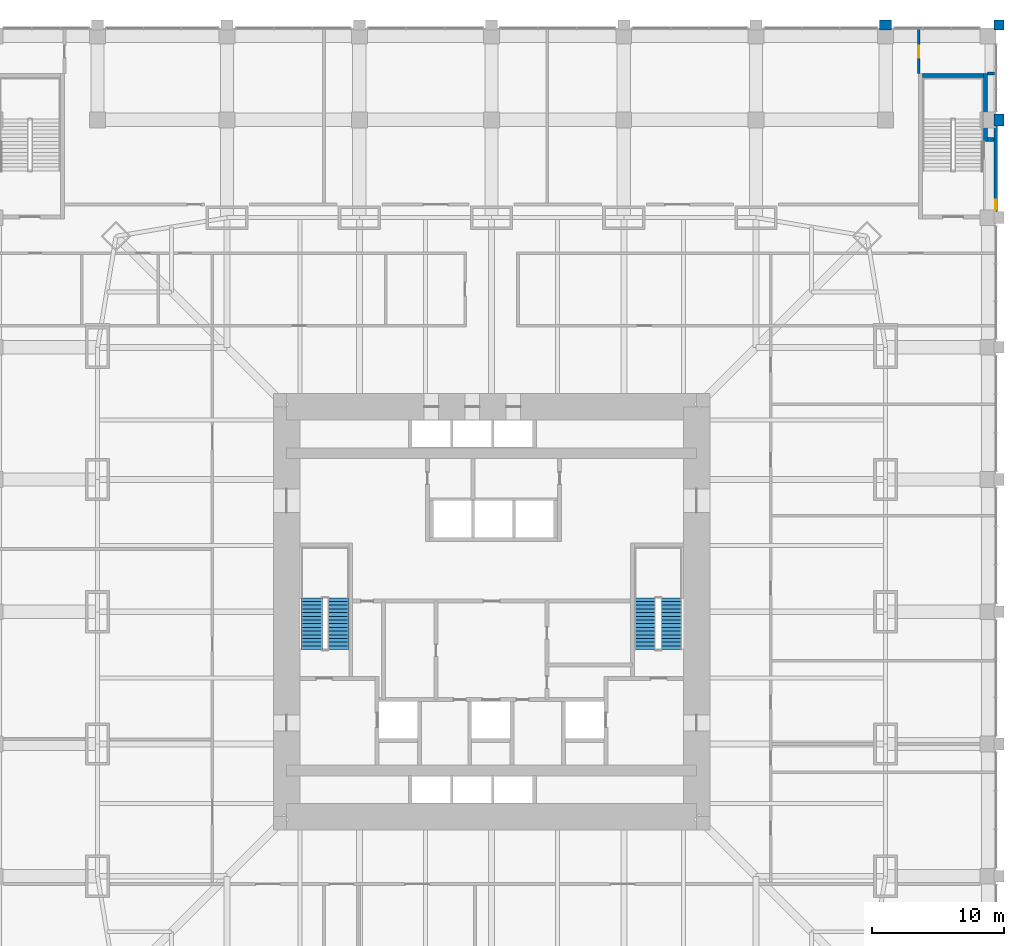
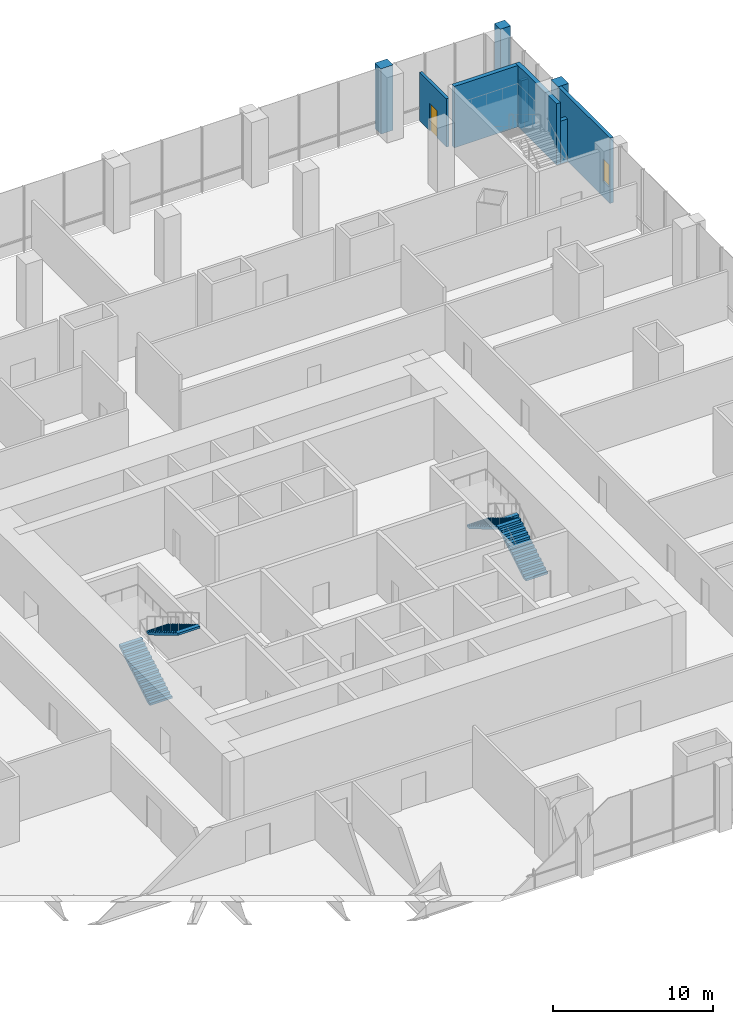
# One storey, part 21 of 24: 9 walls, 4 stair flights, 1 door, 1 window, 2 openings, 2 elements without a shape of their own.
"""IFC4 building model written with IfcOpenShell, lengths in metres."""

import ifcopenshell
import ifcopenshell.guid

model = None  # the IFC model being written
_history = None  # IfcOwnerHistory: only IFC2X3 demands one
_inside = {}  # id of a spatial element -> (the spatial element, [elements in it])
_under = {}  # id of a project, library or spatial element -> (it, [spatial elements below it])
_declared = {}  # id of a project -> (the project, [libraries it declares])
_typed = {}  # id of a type object -> (the type object, [elements of that type])
_made_of = {}  # id of a material, layer set ... -> (it, [elements and type objects made of it])


def new_model(schema):
    """Start an empty IFC model of exactly this schema.

    Asked for "IFC4X3", IfcOpenShell would pick the latest addendum, in which some entities
    have other attributes; the version numbers below select the first issue.
    IFC2X3 requires an IfcOwnerHistory on every rooted entity: one is made here for all.
    """
    global model, _history
    if schema == "IFC4X3":
        model = ifcopenshell.file(schema_version=(4, 3, 0, 0))
    else:
        model = ifcopenshell.file(schema=schema)
    _inside.clear()
    _under.clear()
    _declared.clear()
    _typed.clear()
    _made_of.clear()
    _history = None
    if model.schema == "IFC2X3":
        org = make("IfcOrganization", Name="unknown")
        user = make(
            "IfcPersonAndOrganization",
            ThePerson=make("IfcPerson", FamilyName="unknown"),
            TheOrganization=org,
        )
        app = make(
            "IfcApplication",
            ApplicationDeveloper=org,
            Version="unknown",
            ApplicationFullName="unknown",
            ApplicationIdentifier="unknown",
        )
        _history = make(
            "IfcOwnerHistory",
            OwningUser=user,
            OwningApplication=app,
            ChangeAction="ADDED",
            CreationDate=0,
        )
    return model


def make(cls, **values):
    """One entity of the class cls with the attributes given. An attribute that is None is left unset."""
    return model.create_entity(
        cls, **{name: value for name, value in values.items() if value is not None}
    )


def rooted(cls, **values):
    """An entity with a GlobalId (a new one), such as an element, a storey or a relation."""
    return make(cls, GlobalId=ifcopenshell.guid.new(), OwnerHistory=_history, **values)


def si_unit(unit_type, name, prefix=None):
    """IfcSIUnit, for example si_unit("LENGTHUNIT", "METRE", prefix="MILLI")."""
    return make("IfcSIUnit", UnitType=unit_type, Prefix=prefix, Name=name)


def assignment(units):
    """IfcUnitAssignment: the units of a project."""
    return None if units is None else make("IfcUnitAssignment", Units=units)


def point(xyz):
    """IfcCartesianPoint."""
    return None if xyz is None else make("IfcCartesianPoint", Coordinates=xyz)


def direction(xyz):
    """IfcDirection."""
    return None if xyz is None else make("IfcDirection", DirectionRatios=xyz)


def frame(location, z_axis=None, x_axis=None):
    """IfcAxis2Placement3D, a coordinate frame: its origin and axes. An axis left out is left unset."""
    return make(
        "IfcAxis2Placement3D",
        Location=point(location),
        Axis=direction(z_axis),
        RefDirection=direction(x_axis),
    )


def frame_2d(location, x_axis=None):
    """IfcAxis2Placement2D, a coordinate frame in the plane: its origin and x axis."""
    return make(
        "IfcAxis2Placement2D", Location=point(location), RefDirection=direction(x_axis)
    )


def origin():
    """The frame at (0, 0, 0) with its axes left unset."""
    return frame((0.0, 0.0, 0.0))


def place(relative_to, where):
    """IfcLocalPlacement: puts the frame where relative to a parent placement (None: the world)."""
    return make(
        "IfcLocalPlacement", PlacementRelTo=relative_to, RelativePlacement=where
    )


def context(
    kind, dimensions, precision=None, world=None, true_north=None, identifier=None
):
    """IfcGeometricRepresentationContext, for example the 3D "Model" context."""
    return make(
        "IfcGeometricRepresentationContext",
        ContextIdentifier=identifier,
        ContextType=kind,
        CoordinateSpaceDimension=dimensions,
        Precision=precision,
        WorldCoordinateSystem=world,
        TrueNorth=true_north,
    )


def subcontext(parent, identifier, kind, view, scale=None):
    """IfcGeometricRepresentationSubContext, for example "Body" below "Model"."""
    return make(
        "IfcGeometricRepresentationSubContext",
        ContextIdentifier=identifier,
        ContextType=kind,
        ParentContext=parent,
        TargetScale=scale,
        TargetView=view,
    )


def project(units=None, contexts=None):
    """IfcProject with its units and contexts."""
    return rooted(
        "IfcProject",
        Name="project",
        RepresentationContexts=contexts,
        UnitsInContext=assignment(units),
    )


def spatial(cls, under=None, at=None, **own):
    """A site, building, storey or space (cls), placed at a placement, below another one or the project."""
    s = rooted(cls, ObjectPlacement=at, **own)
    if under is not None:
        _under.setdefault(under.id(), (under, []))[1].append(s)
    return s


def polyline(points):
    """IfcPolyline through the points."""
    return make("IfcPolyline", Points=[point(p) for p in points])


def profile(cls, at=None, kind="AREA", **sizes):
    """A parametric profile (cls). Its sizes go by their IFC names, for example OverallWidth=200.0."""
    return make(cls, ProfileType=kind, Position=at, **sizes)


def rectangle(**sizes):
    """IfcRectangleProfileDef."""
    return profile("IfcRectangleProfileDef", **sizes)


def outline(outer, holes=None, kind="AREA"):
    """IfcArbitraryClosedProfileDef: a profile drawn as a closed curve; with holes, ...WithVoids."""
    if holes is None:
        return make("IfcArbitraryClosedProfileDef", ProfileType=kind, OuterCurve=outer)
    return make(
        "IfcArbitraryProfileDefWithVoids",
        ProfileType=kind,
        OuterCurve=outer,
        InnerCurves=holes,
    )


def extrude(swept, where, along, depth):
    """IfcExtrudedAreaSolid: the profile swept, set in the frame where, extruded along a direction by depth."""
    return make(
        "IfcExtrudedAreaSolid",
        SweptArea=swept,
        Position=where,
        ExtrudedDirection=direction(along),
        Depth=depth,
    )


def shape(context_of_items, identifier, shape_type, items):
    """IfcShapeRepresentation: the items that make up one representation, for example the "Body"."""
    return make(
        "IfcShapeRepresentation",
        ContextOfItems=context_of_items,
        RepresentationIdentifier=identifier,
        RepresentationType=shape_type,
        Items=items,
    )


def material(Name=None, Category=None):
    """IfcMaterial."""
    return make("IfcMaterial", Name=Name, Category=Category)


def layer(
    of_material, thickness, ventilated=None, Name=None, Category=None, Priority=None
):
    """IfcMaterialLayer: one layer of a wall or slab, of a material (None: an air gap)."""
    return make(
        "IfcMaterialLayer",
        Material=of_material,
        LayerThickness=thickness,
        IsVentilated=ventilated,
        Name=Name,
        Category=Category,
        Priority=Priority,
    )


def layer_set(layers, Name=None):
    """IfcMaterialLayerSet."""
    return make("IfcMaterialLayerSet", MaterialLayers=layers, LayerSetName=Name)


def made_of(thing, what):
    """Note that an element or type object is made of a material, layer set ...; save() writes the relation."""
    if what is not None:
        _made_of.setdefault(what.id(), (what, []))[1].append(thing)
    return thing


def type_object(cls, material=None, **own):
    """A type object (cls), such as IfcWallType, which elements share."""
    return made_of(rooted(cls, **own), material)


def element(
    cls,
    number,
    at=None,
    inside=None,
    cuts=None,
    type_object=None,
    material=None,
    context=None,
    identifier="Body",
    shape_type=None,
    held_by="IfcProductDefinitionShape",
    body=None,
    shapes=None,
    **own,
):
    """One element of the class cls, such as IfcWall. Its Tag is "e" and its number.

    at: its placement. inside: the storey or other place that contains it. cuts: it is an
    opening in that element (IfcRelVoidsElement). A single representation is given by context,
    identifier, shape_type and body (its items); several are given by shapes. held_by: the class
    of the entity that holds the representations. save() writes the other relations.
    """
    e = rooted(cls, Tag="e%d" % number, ObjectPlacement=at, **own)
    if body is not None:
        shapes = [shape(context, identifier, shape_type, body)]
    if shapes is not None:
        e.Representation = make(held_by, Representations=shapes)
    if inside is not None:
        _inside.setdefault(inside.id(), (inside, []))[1].append(e)
    if cuts is not None:
        rooted(
            "IfcRelVoidsElement", RelatingBuildingElement=cuts, RelatedOpeningElement=e
        )
    if type_object is not None:
        _typed.setdefault(type_object.id(), (type_object, []))[1].append(e)
    return made_of(e, material)


def fill(opening, filler):
    """IfcRelFillsElement: the door or window that sits in an opening."""
    return rooted(
        "IfcRelFillsElement",
        RelatingOpeningElement=opening,
        RelatedBuildingElement=filler,
    )


def aggregate(whole, parts):
    """IfcRelAggregates: a whole, such as a stair, and the parts it consists of."""
    return rooted("IfcRelAggregates", RelatingObject=whole, RelatedObjects=parts)


def save(model, path):
    """Write the relations noted so far, then the file.

    IfcRelAggregates (storeys below a building ...), IfcRelContainedInSpatialStructure (elements
    in a storey), IfcRelDefinesByType, IfcRelAssociatesMaterial and IfcRelDeclares: one each for
    every whole, place, type object, material and project.
    """
    for whole, parts in _under.values():
        aggregate(whole, parts)
    for where, things in _inside.values():
        rooted(
            "IfcRelContainedInSpatialStructure",
            RelatedElements=things,
            RelatingStructure=where,
        )
    for kind, things in _typed.values():
        rooted("IfcRelDefinesByType", RelatedObjects=things, RelatingType=kind)
    for what, things in _made_of.values():
        rooted("IfcRelAssociatesMaterial", RelatedObjects=things, RelatingMaterial=what)
    for by, libraries in _declared.values():
        rooted("IfcRelDeclares", RelatingContext=by, RelatedDefinitions=libraries)
    model.write(path)


model = new_model("IFC4")

# Units and contexts
model_context = context("Model", 3, precision=1e-05, world=origin(), true_north=direction((0.0, 1.0)))
body_context = subcontext(model_context, "Body", "Model", "MODEL_VIEW")
ifc_project = project(units=[si_unit("LENGTHUNIT", "METRE"), si_unit("AREAUNIT", "SQUARE_METRE"), si_unit("VOLUMEUNIT", "CUBIC_METRE"), si_unit("PLANEANGLEUNIT", "RADIAN"), si_unit("MASSUNIT", "GRAM", prefix="KILO")], contexts=[model_context])

# Site, building, storey
site_placement = place(None, origin())
site = spatial("IfcSite", under=ifc_project, at=site_placement, CompositionType="ELEMENT")
building_placement = place(site_placement, origin())
building = spatial("IfcBuilding", under=site, at=building_placement, Name="Khuree Lantern Residences", CompositionType="ELEMENT")
storey_placement = place(building_placement, frame((0.0, 0.0, 6.0)))
storey = spatial("IfcBuildingStorey", under=building, at=storey_placement, Name="L01", CompositionType="ELEMENT", Elevation=6.0)

# Walls
ifc_material_1 = material(Name="Dense concrete blockwork", Category="masonry")
ifc_layer_1 = layer(ifc_material_1, 0.300048828125)
ifc_layer_set_1 = layer_set([ifc_layer_1], Name="CORE PARTITION WALL CPW300 EI 120")
wall_type_1 = type_object("IfcWallType", Name="CORE PARTITION WALL CPW300 EI 120", PredefinedType="PARTITIONING", material=ifc_layer_set_1)
wall_1_placement = place(storey_placement, frame((38.0, 35.7060546875, 0.0), z_axis=(0.0, 0.0, 1.0), x_axis=(-1.0, 0.0, 0.0)))
element("IfcWall", 1, at=wall_1_placement, inside=storey, type_object=wall_type_1, Name="L01 STAIR ST4 WALL X", PredefinedType="PARTITIONING", context=body_context, shape_type="SweptSolid", body=[
    extrude(rectangle(XDim=0.5, YDim=0.300048828125, at=frame_2d((0.25, 0.0))), origin(), (0.0, 0.0, 1.0), 3.27001953125),
])
ifc_material_2 = material(Name="Flamed granite cladding on blockwork", Category="masonry")
ifc_layer_2 = layer(ifc_material_2, 0.75)
ifc_layer_set_2 = layer_set([ifc_layer_2], Name="PODIUM PIER PR1 900X750")
wall_type_2 = type_object("IfcWallType", Name="PODIUM PIER PR1 900X750", PredefinedType="SOLIDWALL", material=ifc_layer_set_2)
wall_2_placement = place(storey_placement, frame((38.375, 36.75, 0.0), z_axis=(0.0, 0.0, 1.0), x_axis=(0.0, 1.0, 0.0)))
element("IfcWall", 2, at=wall_2_placement, inside=storey, type_object=wall_type_2, Name="L01 EAST FACE PIER 7", PredefinedType="SOLIDWALL", context=body_context, shape_type="SweptSolid", body=[
    extrude(rectangle(XDim=0.89990234375, YDim=0.75, at=frame_2d((0.449951171875, 0.0))), origin(), (0.0, 0.0, 1.0), 5.0),
])
wall_3_placement = place(storey_placement, frame((38.375, 44.0, 0.0), z_axis=(0.0, 0.0, 1.0), x_axis=(0.0, 1.0, 0.0)))
element("IfcWall", 3, at=wall_3_placement, inside=storey, type_object=wall_type_2, Name="L01 EAST FACE PIER 8", PredefinedType="SOLIDWALL", context=body_context, shape_type="SweptSolid", body=[
    extrude(rectangle(XDim=0.75, YDim=0.75, at=frame_2d((0.375, 0.0))), origin(), (0.0, 0.0, 1.0), 5.0),
])
wall_4_placement = place(storey_placement, frame((30.25, 44.375, 0.0), z_axis=(0.0, 0.0, 1.0), x_axis=(-1.0, 0.0, 0.0)))
element("IfcWall", 4, at=wall_4_placement, inside=storey, type_object=wall_type_2, Name="L01 NORTH FACE PIER 1", PredefinedType="SOLIDWALL", context=body_context, shape_type="SweptSolid", body=[
    extrude(rectangle(XDim=0.89990234375, YDim=0.75, at=frame_2d((0.449951171875, 0.0))), origin(), (0.0, 0.0, 1.0), 5.0),
])

# Wall, opening, window
ifc_layer_3 = layer(ifc_material_2, 0.25)
ifc_layer_set_3 = layer_set([ifc_layer_3], Name="PODIUM STONE WALL SW1 250")
wall_type_3 = type_object("IfcWallType", Name="PODIUM STONE WALL SW1 250", PredefinedType="SOLIDWALL", material=ifc_layer_set_3)
wall_5_placement = place(storey_placement, frame((38.125, 30.25, 0.0), z_axis=(0.0, 0.0, 1.0), x_axis=(0.0, 1.0, 0.0)))
wall_5 = element("IfcWall", 5, at=wall_5_placement, inside=storey, type_object=wall_type_3, Name="L01 EAST FACE BAY 7 STONE WALL", PredefinedType="SOLIDWALL", context=body_context, shape_type="SweptSolid", body=[
    extrude(rectangle(XDim=6.5, YDim=0.25, at=frame_2d((3.25, 0.0))), origin(), (0.0, 0.0, 1.0), 5.0),
])
opening_1_placement = place(wall_5_placement, frame((0.14990234375, 0.0, 1.199951171875)))
opening_1 = element("IfcOpeningElement", 6, at=opening_1_placement, cuts=wall_5, Name="Opening L01-W01", PredefinedType="OPENING", context=body_context, shape_type="SweptSolid", body=[
    extrude(rectangle(XDim=0.75, YDim=1.699951171875, at=frame_2d((0.375, 0.85009765625))), frame((0.0, 0.135009765625, 0.0), z_axis=(0.0, -1.0, 0.0), x_axis=(1.0, 0.0, 0.0)), (0.0, 0.0, 1.0), 0.27001953125),
])
ifc_material_3 = material(Name="Aluminium frame, triple glazing", Category="aluminium")
window_type = type_object("IfcWindowType", Name="STAIR WINDOW W1 750X1700", PartitioningType="SINGLE_PANEL", PredefinedType="WINDOW", material=ifc_material_3)
window_placement = place(opening_1_placement, origin())
window = element("IfcWindow", 7, at=window_placement, inside=storey, type_object=window_type, Name="Stair ST4 window L01-W01", OverallHeight=1.699951171875, OverallWidth=0.75, PartitioningType="SINGLE_PANEL", PredefinedType="WINDOW", context=body_context, shape_type="SweptSolid", body=[
    extrude(rectangle(XDim=0.75, YDim=1.699951171875, at=frame_2d((0.375, 0.85009765625))), frame((0.0, 0.030029296875, 0.0), z_axis=(0.0, -1.0, 0.0), x_axis=(1.0, 0.0, 0.0)), (0.0, 0.0, 1.0), 0.06005859375),
])
fill(opening_1, window)

# Wall
ifc_layer_4 = layer(ifc_material_1, 0.199951171875)
ifc_layer_set_4 = layer_set([ifc_layer_4], Name="ROOM WALL RMW200")
wall_type_4 = type_object("IfcWallType", Name="ROOM WALL RMW200", PredefinedType="SOLIDWALL", material=ifc_layer_set_4)
wall_6_placement = place(storey_placement, frame((37.52001953125, 40.699951171875, 0.0), z_axis=(0.0, 0.0, 1.0), x_axis=(1.0, 0.0, 0.0)))
element("IfcWall", 8, at=wall_6_placement, inside=storey, type_object=wall_type_4, Name="L01 ROOM WALL 44", PredefinedType="SOLIDWALL", context=body_context, shape_type="SweptSolid", body=[
    extrude(rectangle(XDim=0.554931640625, YDim=0.199951171875, at=frame_2d((0.27734375, 0.0))), origin(), (0.0, 0.0, 1.0), 3.27001953125),
])

# Wall, opening, door
wall_7_placement = place(storey_placement, frame((32.300048828125, 40.719970703125, 0.0), z_axis=(0.0, 0.0, 1.0), x_axis=(0.0, 1.0, 0.0)))
wall_7 = element("IfcWall", 9, at=wall_7_placement, inside=storey, type_object=wall_type_4, Name="L01 ROOM WALL 46", PredefinedType="SOLIDWALL", context=body_context, shape_type="SweptSolid", body=[
    extrude(rectangle(XDim=3.35498046875, YDim=0.199951171875, at=frame_2d((1.677490234375, 0.0))), origin(), (0.0, 0.0, 1.0), 3.699951171875),
])
opening_2_placement = place(wall_7_placement, frame((1.179931640625, 0.0, 0.0)))
opening_2 = element("IfcOpeningElement", 10, at=opening_2_placement, cuts=wall_7, Name="Opening 01-046", PredefinedType="OPENING", context=body_context, shape_type="SweptSolid", body=[
    extrude(rectangle(XDim=0.89990234375, YDim=2.10009765625, at=frame_2d((0.449951171875, 1.050048828125))), frame((0.0, 0.10986328125, 0.0), z_axis=(0.0, -1.0, 0.0), x_axis=(1.0, 0.0, 0.0)), (0.0, 0.0, 1.0), 0.219970703125),
])
ifc_material_4 = material(Name="Timber door leaf in hardwood frame", Category="wood")
door_type = type_object("IfcDoorType", Name="WC DOOR 900X2100", OperationType="SINGLE_SWING_LEFT", PredefinedType="DOOR", material=ifc_material_4)
door_placement = place(opening_2_placement, origin())
door = element("IfcDoor", 11, at=door_placement, inside=storey, type_object=door_type, Name="Cleaner's store door 01-046", OperationType="SINGLE_SWING_LEFT", OverallHeight=2.10009765625, OverallWidth=0.89990234375, PredefinedType="DOOR", context=body_context, shape_type="SweptSolid", body=[
    extrude(rectangle(XDim=0.89990234375, YDim=2.10009765625, at=frame_2d((0.449951171875, 1.050048828125))), frame((0.0, 0.02490234375, 0.0), z_axis=(0.0, -1.0, 0.0), x_axis=(1.0, 0.0, 0.0)), (0.0, 0.0, 1.0), 0.050048828125),
])
fill(opening_2, door)

# Walls
ifc_material_5 = material(Name="Concrete C50/60", Category="concrete")
ifc_layer_5 = layer(ifc_material_5, 0.300048828125)
ifc_layer_set_5 = layer_set([ifc_layer_5], Name="STAIR WALL SRW300 C50/60 REI 240")
wall_type_5 = type_object("IfcWallType", Name="STAIR WALL SRW300 C50/60 REI 240", PredefinedType="SOLIDWALL", material=ifc_layer_set_5)
wall_8_placement = place(storey_placement, frame((37.35009765625, 35.555908203125, 0.0), z_axis=(0.0, 0.0, 1.0), x_axis=(0.0, 1.0, 0.0)))
element("IfcWall", 12, at=wall_8_placement, inside=storey, type_object=wall_type_5, Name="L01 STAIR ST4 WALL O", PredefinedType="SOLIDWALL", context=body_context, shape_type="SweptSolid", body=[
    extrude(rectangle(XDim=5.14404296875, YDim=0.300048828125, at=frame_2d((2.572021484375, 0.0))), origin(), (0.0, 0.0, 1.0), 4.699951171875),
])
wall_9_placement = place(storey_placement, frame((37.199951171875, 40.550048828125, 0.0), z_axis=(0.0, 0.0, 1.0), x_axis=(-1.0, 0.0, 0.0)))
element("IfcWall", 13, at=wall_9_placement, inside=storey, type_object=wall_type_5, Name="L01 STAIR ST4 WALL N", PredefinedType="SOLIDWALL", context=body_context, shape_type="SweptSolid", body=[
    extrude(rectangle(XDim=4.599853515625, YDim=0.300048828125, at=frame_2d((2.2998046875, 0.0))), origin(), (0.0, 0.0, 1.0), 4.699951171875),
])

# Stair, stair flights
ifc_material_6 = material(Name="Concrete C40/50", Category="concrete")
stair_type = type_object("IfcStairType", Name="STAIR ST1 HALF TURN 3600", PredefinedType="HALF_TURN_STAIR", material=ifc_material_6)
stair_1_placement = place(storey_placement, origin())
stair_1 = element("IfcStair", 14, at=stair_1_placement, inside=storey, type_object=stair_type, Name="Stair ST1", PredefinedType="HALF_TURN_STAIR")
stair_flight_type = type_object("IfcStairFlightType", Name="STAIR FLIGHT SF1 1600", PredefinedType="STRAIGHT", material=ifc_material_6)
stair_flight_1_placement = place(storey_placement, frame((-13.60009765625, -2.860107421875, 0.0), z_axis=(0.0, 0.0, 1.0), x_axis=(0.0, 1.0, 0.0)))
stair_flight_1 = element("IfcStairFlight", 15, at=stair_flight_1_placement, type_object=stair_flight_type, Name="ST1 flight 1", NumberOfRisers=15, NumberOfTreads=14, PredefinedType="STRAIGHT", RiserHeight=0.166666667, TreadLength=0.28, context=body_context, shape_type="SweptSolid", body=[
    extrude(outline(polyline([(0.0, 0.0), (0.0, 0.166748046875), (0.280029296875, 0.166748046875), (0.280029296875, 0.333251953125), (0.56005859375, 0.333251953125), (0.56005859375, 0.5), (0.840087890625, 0.5), (0.840087890625, 0.666748046875), (1.1201171875, 0.666748046875), (1.1201171875, 0.833251953125), (1.39990234375, 0.833251953125), (1.39990234375, 1.0), (1.679931640625, 1.0), (1.679931640625, 1.166748046875), (1.9599609375, 1.166748046875), (1.9599609375, 1.333251953125), (2.239990234375, 1.333251953125), (2.239990234375, 1.5), (2.52001953125, 1.5), (2.52001953125, 1.666748046875), (2.800048828125, 1.666748046875), (2.800048828125, 1.833251953125), (3.080078125, 1.833251953125), (3.080078125, 2.0), (3.360107421875, 2.0), (3.360107421875, 2.166748046875), (3.639892578125, 2.166748046875), (3.639892578125, 2.333251953125), (3.919921875, 2.333251953125), (3.919921875, 2.5), (3.919921875, 2.158935546875), (0.29296875, 0.0), (0.0, 0.0)])), frame((0.0, 0.800048828125, 0.0), z_axis=(0.0, -1.0, 0.0), x_axis=(1.0, 0.0, 0.0)), (0.0, 0.0, 1.0), 1.60009765625),
])
stair_flight_2_placement = place(storey_placement, frame((-11.60009765625, 1.06005859375, 2.5), z_axis=(0.0, 0.0, 1.0), x_axis=(0.0, -1.0, 0.0)))
stair_flight_2 = element("IfcStairFlight", 16, at=stair_flight_2_placement, type_object=stair_flight_type, Name="ST1 flight 2", NumberOfRisers=15, NumberOfTreads=14, PredefinedType="STRAIGHT", RiserHeight=0.166666667, TreadLength=0.28, context=body_context, shape_type="SweptSolid", body=[
    extrude(outline(polyline([(0.0, 0.0), (0.0, 0.166748046875), (0.280029296875, 0.166748046875), (0.280029296875, 0.333251953125), (0.56005859375, 0.333251953125), (0.56005859375, 0.5), (0.840087890625, 0.5), (0.840087890625, 0.666748046875), (1.1201171875, 0.666748046875), (1.1201171875, 0.833251953125), (1.39990234375, 0.833251953125), (1.39990234375, 1.0), (1.679931640625, 1.0), (1.679931640625, 1.166748046875), (1.9599609375, 1.166748046875), (1.9599609375, 1.333251953125), (2.239990234375, 1.333251953125), (2.239990234375, 1.5), (2.52001953125, 1.5), (2.52001953125, 1.666748046875), (2.800048828125, 1.666748046875), (2.800048828125, 1.833251953125), (3.080078125, 1.833251953125), (3.080078125, 2.0), (3.360107421875, 2.0), (3.360107421875, 2.166748046875), (3.639892578125, 2.166748046875), (3.639892578125, 2.333251953125), (3.919921875, 2.333251953125), (3.919921875, 2.5), (3.919921875, 2.158935546875), (0.29296875, 0.0), (0.0, 0.0)])), frame((0.0, 0.800048828125, 0.0), z_axis=(0.0, -1.0, 0.0), x_axis=(1.0, 0.0, 0.0)), (0.0, 0.0, 1.0), 1.60009765625),
])
aggregate(stair_1, [stair_flight_1, stair_flight_2])

stair_2_placement = place(storey_placement, origin())
stair_2 = element("IfcStair", 17, at=stair_2_placement, inside=storey, type_object=stair_type, Name="Stair ST2", PredefinedType="HALF_TURN_STAIR")
stair_flight_3_placement = place(storey_placement, frame((13.60009765625, -2.860107421875, 0.0), z_axis=(0.0, 0.0, 1.0), x_axis=(0.0, 1.0, 0.0)))
stair_flight_3 = element("IfcStairFlight", 18, at=stair_flight_3_placement, type_object=stair_flight_type, Name="ST2 flight 1", NumberOfRisers=15, NumberOfTreads=14, PredefinedType="STRAIGHT", RiserHeight=0.166666667, TreadLength=0.28, context=body_context, shape_type="SweptSolid", body=[
    extrude(outline(polyline([(0.0, 0.0), (0.0, 0.166748046875), (0.280029296875, 0.166748046875), (0.280029296875, 0.333251953125), (0.56005859375, 0.333251953125), (0.56005859375, 0.5), (0.840087890625, 0.5), (0.840087890625, 0.666748046875), (1.1201171875, 0.666748046875), (1.1201171875, 0.833251953125), (1.39990234375, 0.833251953125), (1.39990234375, 1.0), (1.679931640625, 1.0), (1.679931640625, 1.166748046875), (1.9599609375, 1.166748046875), (1.9599609375, 1.333251953125), (2.239990234375, 1.333251953125), (2.239990234375, 1.5), (2.52001953125, 1.5), (2.52001953125, 1.666748046875), (2.800048828125, 1.666748046875), (2.800048828125, 1.833251953125), (3.080078125, 1.833251953125), (3.080078125, 2.0), (3.360107421875, 2.0), (3.360107421875, 2.166748046875), (3.639892578125, 2.166748046875), (3.639892578125, 2.333251953125), (3.919921875, 2.333251953125), (3.919921875, 2.5), (3.919921875, 2.158935546875), (0.29296875, 0.0), (0.0, 0.0)])), frame((0.0, 0.800048828125, 0.0), z_axis=(0.0, -1.0, 0.0), x_axis=(1.0, 0.0, 0.0)), (0.0, 0.0, 1.0), 1.60009765625),
])
stair_flight_4_placement = place(storey_placement, frame((11.60009765625, 1.06005859375, 2.5), z_axis=(0.0, 0.0, 1.0), x_axis=(0.0, -1.0, 0.0)))
stair_flight_4 = element("IfcStairFlight", 19, at=stair_flight_4_placement, type_object=stair_flight_type, Name="ST2 flight 2", NumberOfRisers=15, NumberOfTreads=14, PredefinedType="STRAIGHT", RiserHeight=0.166666667, TreadLength=0.28, context=body_context, shape_type="SweptSolid", body=[
    extrude(outline(polyline([(0.0, 0.0), (0.0, 0.166748046875), (0.280029296875, 0.166748046875), (0.280029296875, 0.333251953125), (0.56005859375, 0.333251953125), (0.56005859375, 0.5), (0.840087890625, 0.5), (0.840087890625, 0.666748046875), (1.1201171875, 0.666748046875), (1.1201171875, 0.833251953125), (1.39990234375, 0.833251953125), (1.39990234375, 1.0), (1.679931640625, 1.0), (1.679931640625, 1.166748046875), (1.9599609375, 1.166748046875), (1.9599609375, 1.333251953125), (2.239990234375, 1.333251953125), (2.239990234375, 1.5), (2.52001953125, 1.5), (2.52001953125, 1.666748046875), (2.800048828125, 1.666748046875), (2.800048828125, 1.833251953125), (3.080078125, 1.833251953125), (3.080078125, 2.0), (3.360107421875, 2.0), (3.360107421875, 2.166748046875), (3.639892578125, 2.166748046875), (3.639892578125, 2.333251953125), (3.919921875, 2.333251953125), (3.919921875, 2.5), (3.919921875, 2.158935546875), (0.29296875, 0.0), (0.0, 0.0)])), frame((0.0, 0.800048828125, 0.0), z_axis=(0.0, -1.0, 0.0), x_axis=(1.0, 0.0, 0.0)), (0.0, 0.0, 1.0), 1.60009765625),
])
aggregate(stair_2, [stair_flight_3, stair_flight_4])

save(model, "model.ifc")
